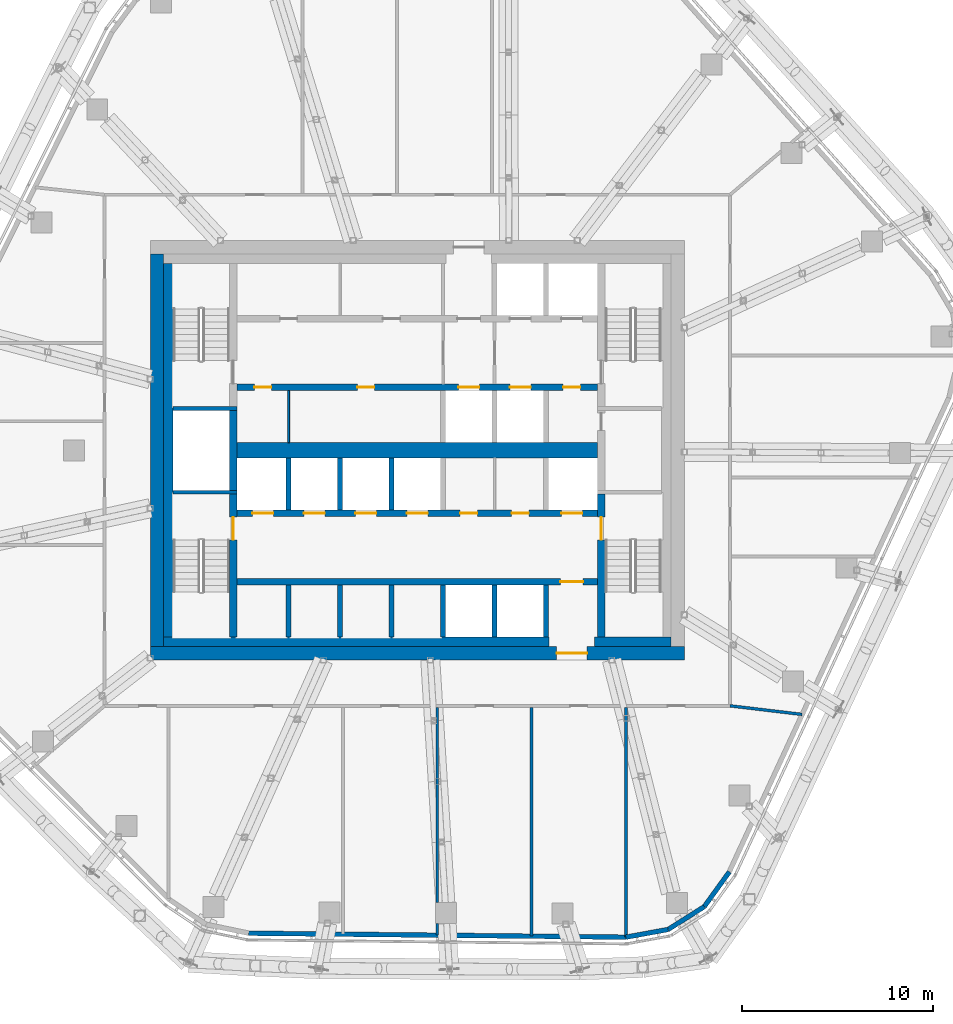
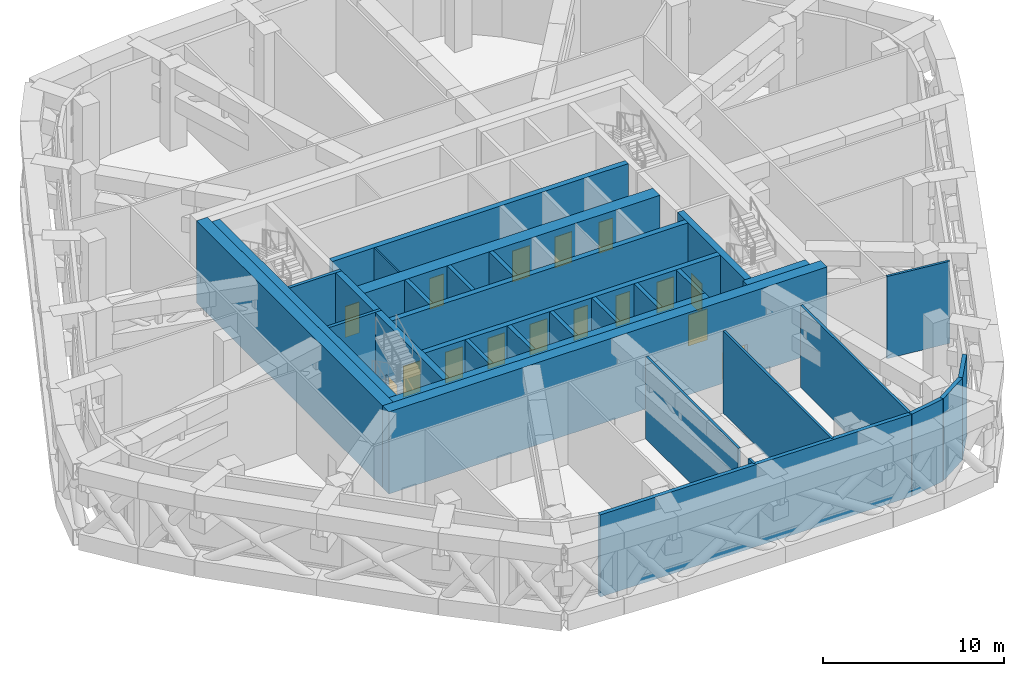
# One storey, part 16 of 31: 33 walls, 16 doors, 16 openings.
"""IFC4 building model written with IfcOpenShell, lengths in metres."""

from ifc_helpers import new_model, si_unit, direction, frame, frame_2d, origin, place, context, subcontext, project, spatial, rectangle, extrude, material, layer, layer_set, type_object, element, fill, save


model = new_model("IFC4")

# Units and contexts
model_context = context("Model", 3, precision=1e-05, world=origin(), true_north=direction((0.0, 1.0)))
body_context = subcontext(model_context, "Body", "Model", "MODEL_VIEW")
ifc_project = project(units=[si_unit("LENGTHUNIT", "METRE"), si_unit("AREAUNIT", "SQUARE_METRE"), si_unit("VOLUMEUNIT", "CUBIC_METRE"), si_unit("PLANEANGLEUNIT", "RADIAN"), si_unit("MASSUNIT", "GRAM", prefix="KILO")], contexts=[model_context])

# Site, building, storey
site_placement = place(None, origin())
site = spatial("IfcSite", under=ifc_project, at=site_placement, CompositionType="ELEMENT")
building_placement = place(site_placement, origin())
building = spatial("IfcBuilding", under=site, at=building_placement, Name="Dongbaek Canopy Tower", CompositionType="ELEMENT")
storey_placement = place(building_placement, frame((0.0, 0.0, 283.199951171875)))
storey = spatial("IfcBuildingStorey", under=building, at=storey_placement, Name="L60", CompositionType="ELEMENT", Elevation=283.199951171875)

# Wall
ifc_material_1 = material(Name="Concrete C60/75", Category="concrete")
ifc_layer_1 = layer(ifc_material_1, 0.800048828125)
ifc_layer_set_1 = layer_set([ifc_layer_1], Name="Core central wall 800 Concrete C60/75")
wall_type_1 = type_object("IfcWallType", Name="Core central wall 800 Concrete C60/75", PredefinedType="SHEAR", material=ifc_layer_set_1)
wall_1_placement = place(storey_placement, frame((-9.449951171875, 0.0, 0.0), z_axis=(0.0, 0.0, 1.0), x_axis=(1.0, 0.0, 0.0)))
element("IfcWall", 1, at=wall_1_placement, inside=storey, type_object=wall_type_1, Name="Core wall", PredefinedType="SHEAR", context=body_context, shape_type="SweptSolid", body=[
    extrude(rectangle(XDim=18.89990234375, YDim=0.800048828125, at=frame_2d((9.449951171875, 0.0))), origin(), (0.0, 0.0, 1.0), 5.550048828125),
])

# Wall, openings, doors
ifc_material_2 = material(Name="Concrete C60/75", Category="concrete")
ifc_layer_2 = layer(ifc_material_2, 0.35009765625)
ifc_layer_set_2 = layer_set([ifc_layer_2], Name="Core lobby wall 350 Concrete C60/75")
wall_type_2 = type_object("IfcWallType", Name="Core lobby wall 350 Concrete C60/75", PredefinedType="SHEAR", material=ifc_layer_set_2)
wall_2_placement = place(storey_placement, frame((9.449951171875, 3.300048828125, 0.0), z_axis=(0.0, 0.0, 1.0), x_axis=(-1.0, 0.0, 0.0)))
wall_2 = element("IfcWall", 2, at=wall_2_placement, inside=storey, type_object=wall_type_2, Name="Core wall", PredefinedType="SHEAR", context=body_context, shape_type="SweptSolid", body=[
    extrude(rectangle(XDim=18.89990234375, YDim=0.35009765625, at=frame_2d((9.449951171875, 0.0))), origin(), (0.0, 0.0, 1.0), 5.550048828125),
])
opening_1_placement = place(wall_2_placement, frame((6.199951171875, 0.0, 0.0)))
opening_1 = element("IfcOpeningElement", 3, at=opening_1_placement, cuts=wall_2, Name="Opening L60-D024", PredefinedType="OPENING", context=body_context, shape_type="SweptSolid", body=[
    extrude(rectangle(XDim=1.10009765625, YDim=2.10009765625, at=frame_2d((0.550048828125, 1.050048828125))), frame((0.0, 0.18505859375, 0.0), z_axis=(0.0, -1.0, 0.0), x_axis=(1.0, 0.0, 0.0)), (0.0, 0.0, 1.0), 0.3701171875),
])
opening_2_placement = place(wall_2_placement, frame((3.5, 0.0, 0.0)))
opening_2 = element("IfcOpeningElement", 4, at=opening_2_placement, cuts=wall_2, Name="Opening L60-D025", PredefinedType="OPENING", context=body_context, shape_type="SweptSolid", body=[
    extrude(rectangle(XDim=1.10009765625, YDim=2.10009765625, at=frame_2d((0.550048828125, 1.050048828125))), frame((0.0, 0.18505859375, 0.0), z_axis=(0.0, -1.0, 0.0), x_axis=(1.0, 0.0, 0.0)), (0.0, 0.0, 1.0), 0.3701171875),
])
opening_3_placement = place(wall_2_placement, frame((0.89990234375, 0.0, 0.0)))
opening_3 = element("IfcOpeningElement", 5, at=opening_3_placement, cuts=wall_2, Name="Opening L60-D026", PredefinedType="OPENING", context=body_context, shape_type="SweptSolid", body=[
    extrude(rectangle(XDim=0.89990234375, YDim=2.10009765625, at=frame_2d((0.449951171875, 1.050048828125))), frame((0.0, 0.18505859375, 0.0), z_axis=(0.0, -1.0, 0.0), x_axis=(1.0, 0.0, 0.0)), (0.0, 0.0, 1.0), 0.3701171875),
])
opening_4_placement = place(wall_2_placement, frame((17.10009765625, 0.0, 0.0)))
opening_4 = element("IfcOpeningElement", 6, at=opening_4_placement, cuts=wall_2, Name="Opening L60-D036", PredefinedType="OPENING", context=body_context, shape_type="SweptSolid", body=[
    extrude(rectangle(XDim=0.89990234375, YDim=2.10009765625, at=frame_2d((0.449951171875, 1.050048828125))), frame((0.0, 0.18505859375, 0.0), z_axis=(0.0, -1.0, 0.0), x_axis=(1.0, 0.0, 0.0)), (0.0, 0.0, 1.0), 0.3701171875),
])
opening_5_placement = place(wall_2_placement, frame((11.699951171875, 0.0, 0.0)))
opening_5 = element("IfcOpeningElement", 7, at=opening_5_placement, cuts=wall_2, Name="Opening L60-D037", PredefinedType="OPENING", context=body_context, shape_type="SweptSolid", body=[
    extrude(rectangle(XDim=0.89990234375, YDim=2.10009765625, at=frame_2d((0.449951171875, 1.050048828125))), frame((0.0, 0.18505859375, 0.0), z_axis=(0.0, -1.0, 0.0), x_axis=(1.0, 0.0, 0.0)), (0.0, 0.0, 1.0), 0.3701171875),
])
ifc_material_3 = material(Name="Steel", Category="steel")
door_type_1 = type_object("IfcDoorType", Name="Core room door 900 x 2100", OperationType="SINGLE_SWING_LEFT", PredefinedType="DOOR", material=ifc_material_3)
door_1_placement = place(opening_3_placement, origin())
door_1 = element("IfcDoor", 8, at=door_1_placement, inside=storey, type_object=door_type_1, Name="Door L60-D026", OperationType="SINGLE_SWING_LEFT", OverallHeight=2.10009765625, OverallWidth=0.89990234375, PredefinedType="DOOR", context=body_context, shape_type="SweptSolid", body=[
    extrude(rectangle(XDim=0.89990234375, YDim=2.10009765625, at=frame_2d((0.449951171875, 1.050048828125))), frame((0.0, 0.02490234375, 0.0), z_axis=(0.0, -1.0, 0.0), x_axis=(1.0, 0.0, 0.0)), (0.0, 0.0, 1.0), 0.050048828125),
])
fill(opening_3, door_1)
door_2_placement = place(opening_4_placement, origin())
door_2 = element("IfcDoor", 9, at=door_2_placement, inside=storey, type_object=door_type_1, Name="Door L60-D036", OperationType="SINGLE_SWING_RIGHT", OverallHeight=2.10009765625, OverallWidth=0.89990234375, PredefinedType="DOOR", context=body_context, shape_type="SweptSolid", body=[
    extrude(rectangle(XDim=0.89990234375, YDim=2.10009765625, at=frame_2d((0.449951171875, 1.050048828125))), frame((0.0, 0.02490234375, 0.0), z_axis=(0.0, -1.0, 0.0), x_axis=(1.0, 0.0, 0.0)), (0.0, 0.0, 1.0), 0.050048828125),
])
fill(opening_4, door_2)
door_3_placement = place(opening_5_placement, origin())
door_3 = element("IfcDoor", 10, at=door_3_placement, inside=storey, type_object=door_type_1, Name="Door L60-D037", OperationType="SINGLE_SWING_LEFT", OverallHeight=2.10009765625, OverallWidth=0.89990234375, PredefinedType="DOOR", context=body_context, shape_type="SweptSolid", body=[
    extrude(rectangle(XDim=0.89990234375, YDim=2.10009765625, at=frame_2d((0.449951171875, 1.050048828125))), frame((0.0, 0.02490234375, 0.0), z_axis=(0.0, -1.0, 0.0), x_axis=(1.0, 0.0, 0.0)), (0.0, 0.0, 1.0), 0.050048828125),
])
fill(opening_5, door_3)
ifc_material_4 = material(Name="Stainless steel", Category="steel")
door_type_2 = type_object("IfcDoorType", Name="Lift landing door 1100 x 2100", OperationType="DOUBLE_DOOR_SLIDING", PredefinedType="DOOR", material=ifc_material_4)
door_4_placement = place(opening_1_placement, origin())
door_4 = element("IfcDoor", 11, at=door_4_placement, inside=storey, type_object=door_type_2, Name="Landing door SV1", OperationType="DOUBLE_DOOR_SLIDING", OverallHeight=2.10009765625, OverallWidth=1.10009765625, PredefinedType="DOOR", context=body_context, shape_type="SweptSolid", body=[
    extrude(rectangle(XDim=1.10009765625, YDim=2.10009765625, at=frame_2d((0.550048828125, 1.050048828125))), frame((0.0, 0.02490234375, 0.0), z_axis=(0.0, -1.0, 0.0), x_axis=(1.0, 0.0, 0.0)), (0.0, 0.0, 1.0), 0.050048828125),
])
fill(opening_1, door_4)
door_5_placement = place(opening_2_placement, origin())
door_5 = element("IfcDoor", 12, at=door_5_placement, inside=storey, type_object=door_type_2, Name="Landing door FF3", OperationType="DOUBLE_DOOR_SLIDING", OverallHeight=2.10009765625, OverallWidth=1.10009765625, PredefinedType="DOOR", context=body_context, shape_type="SweptSolid", body=[
    extrude(rectangle(XDim=1.10009765625, YDim=2.10009765625, at=frame_2d((0.550048828125, 1.050048828125))), frame((0.0, 0.02490234375, 0.0), z_axis=(0.0, -1.0, 0.0), x_axis=(1.0, 0.0, 0.0)), (0.0, 0.0, 1.0), 0.050048828125),
])
fill(opening_2, door_5)

wall_3_placement = place(storey_placement, frame((-9.449951171875, -3.300048828125, 0.0), z_axis=(0.0, 0.0, 1.0), x_axis=(1.0, 0.0, 0.0)))
wall_3 = element("IfcWall", 13, at=wall_3_placement, inside=storey, type_object=wall_type_2, Name="Core wall", PredefinedType="SHEAR", context=body_context, shape_type="SweptSolid", body=[
    extrude(rectangle(XDim=18.89990234375, YDim=0.35009765625, at=frame_2d((9.449951171875, 0.0))), origin(), (0.0, 0.0, 1.0), 5.550048828125),
])
opening_6_placement = place(wall_3_placement, frame((0.800048828125, 0.0, 0.0)))
opening_6 = element("IfcOpeningElement", 14, at=opening_6_placement, cuts=wall_3, Name="Opening L60-D027", PredefinedType="OPENING", context=body_context, shape_type="SweptSolid", body=[
    extrude(rectangle(XDim=1.10009765625, YDim=2.10009765625, at=frame_2d((0.550048828125, 1.050048828125))), frame((0.0, 0.18505859375, 0.0), z_axis=(0.0, -1.0, 0.0), x_axis=(1.0, 0.0, 0.0)), (0.0, 0.0, 1.0), 0.3701171875),
])
opening_7_placement = place(wall_3_placement, frame((3.5, 0.0, 0.0)))
opening_7 = element("IfcOpeningElement", 15, at=opening_7_placement, cuts=wall_3, Name="Opening L60-D028", PredefinedType="OPENING", context=body_context, shape_type="SweptSolid", body=[
    extrude(rectangle(XDim=1.10009765625, YDim=2.10009765625, at=frame_2d((0.550048828125, 1.050048828125))), frame((0.0, 0.18505859375, 0.0), z_axis=(0.0, -1.0, 0.0), x_axis=(1.0, 0.0, 0.0)), (0.0, 0.0, 1.0), 0.3701171875),
])
opening_8_placement = place(wall_3_placement, frame((6.199951171875, 0.0, 0.0)))
opening_8 = element("IfcOpeningElement", 16, at=opening_8_placement, cuts=wall_3, Name="Opening L60-D029", PredefinedType="OPENING", context=body_context, shape_type="SweptSolid", body=[
    extrude(rectangle(XDim=1.10009765625, YDim=2.10009765625, at=frame_2d((0.550048828125, 1.050048828125))), frame((0.0, 0.18505859375, 0.0), z_axis=(0.0, -1.0, 0.0), x_axis=(1.0, 0.0, 0.0)), (0.0, 0.0, 1.0), 0.3701171875),
])
opening_9_placement = place(wall_3_placement, frame((8.89990234375, 0.0, 0.0)))
opening_9 = element("IfcOpeningElement", 17, at=opening_9_placement, cuts=wall_3, Name="Opening L60-D030", PredefinedType="OPENING", context=body_context, shape_type="SweptSolid", body=[
    extrude(rectangle(XDim=1.10009765625, YDim=2.10009765625, at=frame_2d((0.550048828125, 1.050048828125))), frame((0.0, 0.18505859375, 0.0), z_axis=(0.0, -1.0, 0.0), x_axis=(1.0, 0.0, 0.0)), (0.0, 0.0, 1.0), 0.3701171875),
])
opening_10_placement = place(wall_3_placement, frame((17.0, 0.0, 0.0)))
opening_10 = element("IfcOpeningElement", 18, at=opening_10_placement, cuts=wall_3, Name="Opening L60-D031", PredefinedType="OPENING", context=body_context, shape_type="SweptSolid", body=[
    extrude(rectangle(XDim=1.10009765625, YDim=2.10009765625, at=frame_2d((0.550048828125, 1.050048828125))), frame((0.0, 0.18505859375, 0.0), z_axis=(0.0, -1.0, 0.0), x_axis=(1.0, 0.0, 0.0)), (0.0, 0.0, 1.0), 0.3701171875),
])
opening_11_placement = place(wall_3_placement, frame((11.699951171875, 0.0, 0.0)))
opening_11 = element("IfcOpeningElement", 19, at=opening_11_placement, cuts=wall_3, Name="Opening L60-D038", PredefinedType="OPENING", context=body_context, shape_type="SweptSolid", body=[
    extrude(rectangle(XDim=0.89990234375, YDim=2.10009765625, at=frame_2d((0.449951171875, 1.050048828125))), frame((0.0, 0.18505859375, 0.0), z_axis=(0.0, -1.0, 0.0), x_axis=(1.0, 0.0, 0.0)), (0.0, 0.0, 1.0), 0.3701171875),
])
opening_12_placement = place(wall_3_placement, frame((14.39990234375, 0.0, 0.0)))
opening_12 = element("IfcOpeningElement", 20, at=opening_12_placement, cuts=wall_3, Name="Opening L60-D039", PredefinedType="OPENING", context=body_context, shape_type="SweptSolid", body=[
    extrude(rectangle(XDim=0.89990234375, YDim=2.10009765625, at=frame_2d((0.449951171875, 1.050048828125))), frame((0.0, 0.18505859375, 0.0), z_axis=(0.0, -1.0, 0.0), x_axis=(1.0, 0.0, 0.0)), (0.0, 0.0, 1.0), 0.3701171875),
])
door_6_placement = place(opening_11_placement, origin())
door_6 = element("IfcDoor", 21, at=door_6_placement, inside=storey, type_object=door_type_1, Name="Door L60-D038", OperationType="SINGLE_SWING_RIGHT", OverallHeight=2.10009765625, OverallWidth=0.89990234375, PredefinedType="DOOR", context=body_context, shape_type="SweptSolid", body=[
    extrude(rectangle(XDim=0.89990234375, YDim=2.10009765625, at=frame_2d((0.449951171875, 1.050048828125))), frame((0.0, 0.02490234375, 0.0), z_axis=(0.0, -1.0, 0.0), x_axis=(1.0, 0.0, 0.0)), (0.0, 0.0, 1.0), 0.050048828125),
])
fill(opening_11, door_6)
door_7_placement = place(opening_12_placement, origin())
door_7 = element("IfcDoor", 22, at=door_7_placement, inside=storey, type_object=door_type_1, Name="Door L60-D039", OperationType="SINGLE_SWING_LEFT", OverallHeight=2.10009765625, OverallWidth=0.89990234375, PredefinedType="DOOR", context=body_context, shape_type="SweptSolid", body=[
    extrude(rectangle(XDim=0.89990234375, YDim=2.10009765625, at=frame_2d((0.449951171875, 1.050048828125))), frame((0.0, 0.02490234375, 0.0), z_axis=(0.0, -1.0, 0.0), x_axis=(1.0, 0.0, 0.0)), (0.0, 0.0, 1.0), 0.050048828125),
])
fill(opening_12, door_7)
door_8_placement = place(opening_6_placement, origin())
door_8 = element("IfcDoor", 23, at=door_8_placement, inside=storey, type_object=door_type_2, Name="Landing door MR1", OperationType="DOUBLE_DOOR_SLIDING", OverallHeight=2.10009765625, OverallWidth=1.10009765625, PredefinedType="DOOR", context=body_context, shape_type="SweptSolid", body=[
    extrude(rectangle(XDim=1.10009765625, YDim=2.10009765625, at=frame_2d((0.550048828125, 1.050048828125))), frame((0.0, 0.02490234375, 0.0), z_axis=(0.0, -1.0, 0.0), x_axis=(1.0, 0.0, 0.0)), (0.0, 0.0, 1.0), 0.050048828125),
])
fill(opening_6, door_8)
door_9_placement = place(opening_7_placement, origin())
door_9 = element("IfcDoor", 24, at=door_9_placement, inside=storey, type_object=door_type_2, Name="Landing door MR2", OperationType="DOUBLE_DOOR_SLIDING", OverallHeight=2.10009765625, OverallWidth=1.10009765625, PredefinedType="DOOR", context=body_context, shape_type="SweptSolid", body=[
    extrude(rectangle(XDim=1.10009765625, YDim=2.10009765625, at=frame_2d((0.550048828125, 1.050048828125))), frame((0.0, 0.02490234375, 0.0), z_axis=(0.0, -1.0, 0.0), x_axis=(1.0, 0.0, 0.0)), (0.0, 0.0, 1.0), 0.050048828125),
])
fill(opening_7, door_9)
door_10_placement = place(opening_8_placement, origin())
door_10 = element("IfcDoor", 25, at=door_10_placement, inside=storey, type_object=door_type_2, Name="Landing door MR3", OperationType="DOUBLE_DOOR_SLIDING", OverallHeight=2.10009765625, OverallWidth=1.10009765625, PredefinedType="DOOR", context=body_context, shape_type="SweptSolid", body=[
    extrude(rectangle(XDim=1.10009765625, YDim=2.10009765625, at=frame_2d((0.550048828125, 1.050048828125))), frame((0.0, 0.02490234375, 0.0), z_axis=(0.0, -1.0, 0.0), x_axis=(1.0, 0.0, 0.0)), (0.0, 0.0, 1.0), 0.050048828125),
])
fill(opening_8, door_10)
door_11_placement = place(opening_9_placement, origin())
door_11 = element("IfcDoor", 26, at=door_11_placement, inside=storey, type_object=door_type_2, Name="Landing door MR4", OperationType="DOUBLE_DOOR_SLIDING", OverallHeight=2.10009765625, OverallWidth=1.10009765625, PredefinedType="DOOR", context=body_context, shape_type="SweptSolid", body=[
    extrude(rectangle(XDim=1.10009765625, YDim=2.10009765625, at=frame_2d((0.550048828125, 1.050048828125))), frame((0.0, 0.02490234375, 0.0), z_axis=(0.0, -1.0, 0.0), x_axis=(1.0, 0.0, 0.0)), (0.0, 0.0, 1.0), 0.050048828125),
])
fill(opening_9, door_11)
door_12_placement = place(opening_10_placement, origin())
door_12 = element("IfcDoor", 27, at=door_12_placement, inside=storey, type_object=door_type_2, Name="Landing door SV2", OperationType="DOUBLE_DOOR_SLIDING", OverallHeight=2.10009765625, OverallWidth=1.10009765625, PredefinedType="DOOR", context=body_context, shape_type="SweptSolid", body=[
    extrude(rectangle(XDim=1.10009765625, YDim=2.10009765625, at=frame_2d((0.550048828125, 1.050048828125))), frame((0.0, 0.02490234375, 0.0), z_axis=(0.0, -1.0, 0.0), x_axis=(1.0, 0.0, 0.0)), (0.0, 0.0, 1.0), 0.050048828125),
])
fill(opening_10, door_12)

# Wall, opening, door
wall_4_placement = place(storey_placement, frame((9.449951171875, -6.89990234375, 0.0), z_axis=(0.0, 0.0, 1.0), x_axis=(-1.0, 0.0, 0.0)))
wall_4 = element("IfcWall", 28, at=wall_4_placement, inside=storey, type_object=wall_type_2, Name="Core wall", PredefinedType="SHEAR", context=body_context, shape_type="SweptSolid", body=[
    extrude(rectangle(XDim=18.89990234375, YDim=0.35009765625, at=frame_2d((9.449951171875, 0.0))), origin(), (0.0, 0.0, 1.0), 5.550048828125),
])
opening_13_placement = place(wall_4_placement, frame((0.75, 0.0, 0.0)))
opening_13 = element("IfcOpeningElement", 29, at=opening_13_placement, cuts=wall_4, Name="Opening L60-D033", PredefinedType="OPENING", context=body_context, shape_type="SweptSolid", body=[
    extrude(rectangle(XDim=1.199951171875, YDim=2.10009765625, at=frame_2d((0.60009765625, 1.050048828125))), frame((0.0, 0.18505859375, 0.0), z_axis=(0.0, -1.0, 0.0), x_axis=(1.0, 0.0, 0.0)), (0.0, 0.0, 1.0), 0.3701171875),
])
ifc_material_5 = material(Name="Steel", Category="steel")
door_type_3 = type_object("IfcDoorType", Name="Fire lobby door 1200 x 2100", OperationType="SINGLE_SWING_LEFT", PredefinedType="DOOR", material=ifc_material_5)
door_13_placement = place(opening_13_placement, origin())
door_13 = element("IfcDoor", 30, at=door_13_placement, inside=storey, type_object=door_type_3, Name="Door L60-D033", OperationType="SINGLE_SWING_LEFT", OverallHeight=2.10009765625, OverallWidth=1.199951171875, PredefinedType="DOOR", context=body_context, shape_type="SweptSolid", body=[
    extrude(rectangle(XDim=1.199951171875, YDim=2.10009765625, at=frame_2d((0.60009765625, 1.050048828125))), frame((0.0, 0.02490234375, 0.0), z_axis=(0.0, -1.0, 0.0), x_axis=(1.0, 0.0, 0.0)), (0.0, 0.0, 1.0), 0.050048828125),
])
fill(opening_13, door_13)

ifc_material_6 = material(Name="Concrete C70/85", Category="concrete")
ifc_layer_3 = layer(ifc_material_6, 0.699951171875)
ifc_layer_set_3 = layer_set([ifc_layer_3], Name="Core outer wall 700 Concrete C70/85")
wall_type_3 = type_object("IfcWallType", Name="Core outer wall 700 Concrete C70/85", PredefinedType="SHEAR", material=ifc_layer_set_3)
wall_5_placement = place(storey_placement, frame((14.0, -10.64990234375, 0.0), z_axis=(0.0, 0.0, 1.0), x_axis=(-1.0, 0.0, 0.0)))
wall_5 = element("IfcWall", 31, at=wall_5_placement, inside=storey, type_object=wall_type_3, Name="Core wall", PredefinedType="SHEAR", context=body_context, shape_type="SweptSolid", body=[
    extrude(rectangle(XDim=28.0, YDim=0.699951171875, at=frame_2d((14.0, 0.0))), origin(), (0.0, 0.0, 1.0), 5.550048828125),
])
opening_14_placement = place(wall_5_placement, frame((5.10009765625, 0.0, 0.0)))
opening_14 = element("IfcOpeningElement", 32, at=opening_14_placement, cuts=wall_5, Name="Opening L60-D032", PredefinedType="OPENING", context=body_context, shape_type="SweptSolid", body=[
    extrude(rectangle(XDim=1.60009765625, YDim=2.10009765625, at=frame_2d((0.800048828125, 1.050048828125))), frame((0.0, 0.35986328125, 0.0), z_axis=(0.0, -1.0, 0.0), x_axis=(1.0, 0.0, 0.0)), (0.0, 0.0, 1.0), 0.719970703125),
])
ifc_material_7 = material(Name="Steel", Category="steel")
door_type_4 = type_object("IfcDoorType", Name="Core exit door 1600 x 2100", OperationType="DOUBLE_DOOR_SINGLE_SWING", PredefinedType="DOOR", material=ifc_material_7)
door_14_placement = place(opening_14_placement, origin())
door_14 = element("IfcDoor", 33, at=door_14_placement, inside=storey, type_object=door_type_4, Name="Core exit door", OperationType="DOUBLE_DOOR_SINGLE_SWING", OverallHeight=2.10009765625, OverallWidth=1.60009765625, PredefinedType="DOOR", context=body_context, shape_type="SweptSolid", body=[
    extrude(rectangle(XDim=1.60009765625, YDim=2.10009765625, at=frame_2d((0.800048828125, 1.050048828125))), frame((0.0, 0.02490234375, 0.0), z_axis=(0.0, -1.0, 0.0), x_axis=(1.0, 0.0, 0.0)), (0.0, 0.0, 1.0), 0.050048828125),
])
fill(opening_14, door_14)

# Walls
wall_6_placement = place(storey_placement, frame((-13.64990234375, -10.300048828125, 0.0), z_axis=(0.0, 0.0, 1.0), x_axis=(0.0, 1.0, 0.0)))
element("IfcWall", 34, at=wall_6_placement, inside=storey, type_object=wall_type_3, Name="Core wall", PredefinedType="SHEAR", context=body_context, shape_type="SweptSolid", body=[
    extrude(rectangle(XDim=20.60009765625, YDim=0.699951171875, at=frame_2d((10.300048828125, 0.0))), origin(), (0.0, 0.0, 1.0), 5.550048828125),
])
ifc_material_8 = material(Name="Concrete C60/75", Category="concrete")
ifc_layer_4 = layer(ifc_material_8, 0.5)
ifc_layer_set_4 = layer_set([ifc_layer_4], Name="Core wall lining 500 Concrete C60/75")
wall_type_4 = type_object("IfcWallType", Name="Core wall lining 500 Concrete C60/75", PredefinedType="SHEAR", material=ifc_layer_set_4)
wall_7_placement = place(storey_placement, frame((13.300048828125, -10.050048828125, 0.0), z_axis=(0.0, 0.0, 1.0), x_axis=(-1.0, 0.0, 0.0)))
element("IfcWall", 35, at=wall_7_placement, inside=storey, type_object=wall_type_4, Name="Core wall lining", PredefinedType="SHEAR", context=body_context, shape_type="SweptSolid", body=[
    extrude(rectangle(XDim=4.0, YDim=0.5, at=frame_2d((2.0, 0.0))), origin(), (0.0, 0.0, 1.0), 5.550048828125),
])
wall_8_placement = place(storey_placement, frame((6.89990234375, -10.050048828125, 0.0), z_axis=(0.0, 0.0, 1.0), x_axis=(-1.0, 0.0, 0.0)))
element("IfcWall", 36, at=wall_8_placement, inside=storey, type_object=wall_type_4, Name="Core wall lining", PredefinedType="SHEAR", context=body_context, shape_type="SweptSolid", body=[
    extrude(rectangle(XDim=20.199951171875, YDim=0.5, at=frame_2d((10.10009765625, 0.0))), origin(), (0.0, 0.0, 1.0), 5.550048828125),
])
wall_9_placement = place(storey_placement, frame((-13.050048828125, -9.800048828125, 0.0), z_axis=(0.0, 0.0, 1.0), x_axis=(0.0, 1.0, 0.0)))
element("IfcWall", 37, at=wall_9_placement, inside=storey, type_object=wall_type_4, Name="Core wall lining", PredefinedType="SHEAR", context=body_context, shape_type="SweptSolid", body=[
    extrude(rectangle(XDim=19.60009765625, YDim=0.5, at=frame_2d((9.800048828125, 0.0))), origin(), (0.0, 0.0, 1.0), 5.550048828125),
])
ifc_material_9 = material(Name="Gypsum board partition, steel stud, 2 x 15 mm fire board", Category="steel")
ifc_layer_5 = layer(ifc_material_9, 0.14990234375)
ifc_layer_set_5 = layer_set([ifc_layer_5], Name="Fire-rated partition 150 gypsum board")
wall_type_5 = type_object("IfcWallType", Name="Fire-rated partition 150 gypsum board", PredefinedType="PARTITIONING", material=ifc_layer_set_5)
wall_10_placement = place(storey_placement, frame((10.946044921875, -25.51171875, 0.0), z_axis=(0.0, 0.0, 1.0), x_axis=(0.0, 1.0, 0.0)))
element("IfcWall", 38, at=wall_10_placement, inside=storey, type_object=wall_type_5, Name="Corridor partition", PredefinedType="PARTITIONING", context=body_context, shape_type="SweptSolid", body=[
    extrude(rectangle(XDim=12.03662109375, YDim=0.14990234375, at=frame_2d((6.018310546875, 0.0))), origin(), (0.0, 0.0, 1.0), 5.550048828125),
])
wall_11_placement = place(storey_placement, frame((5.99609375, -25.462158203125, 0.0), z_axis=(0.0, 0.0, 1.0), x_axis=(0.0, 1.0, 0.0)))
element("IfcWall", 39, at=wall_11_placement, inside=storey, type_object=wall_type_5, Name="Corridor partition", PredefinedType="PARTITIONING", context=body_context, shape_type="SweptSolid", body=[
    extrude(rectangle(XDim=11.987060546875, YDim=0.14990234375, at=frame_2d((5.99365234375, 0.0))), origin(), (0.0, 0.0, 1.0), 5.550048828125),
])
wall_12_placement = place(storey_placement, frame((1.0458984375, -25.410400390625, 0.0), z_axis=(0.0, 0.0, 1.0), x_axis=(0.0, 1.0, 0.0)))
element("IfcWall", 40, at=wall_12_placement, inside=storey, type_object=wall_type_5, Name="Corridor partition", PredefinedType="PARTITIONING", context=body_context, shape_type="SweptSolid", body=[
    extrude(rectangle(XDim=0.58837890625, YDim=0.14990234375, at=frame_2d((0.294189453125, 0.0))), origin(), (0.0, 0.0, 1.0), 5.550048828125),
])
wall_13_placement = place(storey_placement, frame((1.0458984375, -23.721923828125, 0.0), z_axis=(0.0, 0.0, 1.0), x_axis=(0.0, 1.0, 0.0)))
element("IfcWall", 41, at=wall_13_placement, inside=storey, type_object=wall_type_5, Name="Corridor partition", PredefinedType="PARTITIONING", context=body_context, shape_type="SweptSolid", body=[
    extrude(rectangle(XDim=10.246826171875, YDim=0.14990234375, at=frame_2d((5.12353515625, 0.0))), origin(), (0.0, 0.0, 1.0), 5.550048828125),
])
wall_14_placement = place(storey_placement, frame((16.39990234375, -13.400146484375, 0.0), z_axis=(0.0, 0.0, 1.0), x_axis=(0.992945775756, -0.118569331652, 0.0)))
element("IfcWall", 42, at=wall_14_placement, inside=storey, type_object=wall_type_5, Name="Corridor partition", PredefinedType="PARTITIONING", context=body_context, shape_type="SweptSolid", body=[
    extrude(rectangle(XDim=3.794921875, YDim=0.14990234375, at=frame_2d((1.8974609375, 0.0))), origin(), (0.0, 0.0, 1.0), 5.550048828125),
])
ifc_material_10 = material(Name="Concrete C60/75", Category="concrete")
ifc_layer_6 = layer(ifc_material_10, 0.25)
ifc_layer_set_6 = layer_set([ifc_layer_6], Name="Lift pit wall 250 Concrete C60/75")
wall_type_6 = type_object("IfcWallType", Name="Lift pit wall 250 Concrete C60/75", PredefinedType="SHEAR", material=ifc_layer_set_6)
for number, where, z_axis, x_axis, name in (
    (43, (1.35009765625, -9.800048828125, 0.0), (0.0, 0.0, 1.0), (0.0, 1.0, 0.0), "Lift pit wall"),
    (44, (-1.35009765625, -9.800048828125, 0.0), (0.0, 0.0, 1.0), (0.0, 1.0, 0.0), "Lift pit wall"),
    (45, (-4.050048828125, -9.800048828125, 0.0), (0.0, 0.0, 1.0), (0.0, 1.0, 0.0), "Lift pit wall"),
    (46, (-6.75, -9.800048828125, 0.0), (0.0, 0.0, 1.0), (0.0, 1.0, 0.0), "Lift pit wall"),
):
    element("IfcWall", number, at=place(storey_placement, frame(where, z_axis=z_axis, x_axis=x_axis)), inside=storey, type_object=wall_type_6, Name=name, PredefinedType="SHEAR", context=body_context, shape_type="SweptSolid", body=[
        extrude(rectangle(XDim=2.72509765625, YDim=0.25, at=frame_2d((1.362548828125, 0.0))), origin(), (0.0, 0.0, 1.0), 5.550048828125),
    ])
ifc_material_11 = material(Name="Concrete C40/50", Category="concrete")
ifc_layer_7 = layer(ifc_material_11, 0.25)
ifc_layer_set_7 = layer_set([ifc_layer_7], Name="Lift shaft wall 250 Concrete C40/50")
wall_type_7 = type_object("IfcWallType", Name="Lift shaft wall 250 Concrete C40/50", PredefinedType="SOLIDWALL", material=ifc_layer_set_7)
for number, where, z_axis, x_axis, name in (
    (47, (6.75, -9.800048828125, 0.0), (0.0, 0.0, 1.0), (0.0, 1.0, 0.0), "Lift shaft wall"),
    (48, (4.050048828125, -9.800048828125, 0.0), (0.0, 0.0, 1.0), (0.0, 1.0, 0.0), "Lift shaft wall"),
    (49, (-1.35009765625, -3.125, 0.0), (0.0, 0.0, 1.0), (0.0, 1.0, 0.0), "Lift shaft wall"),
    (50, (-4.050048828125, -3.125, 0.0), (0.0, 0.0, 1.0), (0.0, 1.0, 0.0), "Lift shaft wall"),
    (51, (-6.75, -3.125, 0.0), (0.0, 0.0, 1.0), (0.0, 1.0, 0.0), "Lift shaft wall"),
):
    element("IfcWall", number, at=place(storey_placement, frame(where, z_axis=z_axis, x_axis=x_axis)), inside=storey, type_object=wall_type_7, Name=name, PredefinedType="SOLIDWALL", context=body_context, shape_type="SweptSolid", body=[
        extrude(rectangle(XDim=2.72509765625, YDim=0.25, at=frame_2d((1.362548828125, 0.0))), origin(), (0.0, 0.0, 1.0), 5.550048828125),
    ])
ifc_material_12 = material(Name="Gypsum board partition, steel stud, 2 x 12.5 mm board", Category="steel")
ifc_layer_8 = layer(ifc_material_12, 0.10009765625)
ifc_layer_set_8 = layer_set([ifc_layer_8], Name="Partition 100 gypsum board")
wall_type_8 = type_object("IfcWallType", Name="Partition 100 gypsum board", PredefinedType="PARTITIONING", material=ifc_layer_set_8)
wall_15_placement = place(storey_placement, frame((-6.75, 0.39990234375, 0.0), z_axis=(0.0, 0.0, 1.0), x_axis=(0.0, 1.0, 0.0)))
element("IfcWall", 52, at=wall_15_placement, inside=storey, type_object=wall_type_8, Name="Core partition", PredefinedType="PARTITIONING", context=body_context, shape_type="SweptSolid", body=[
    extrude(rectangle(XDim=2.72509765625, YDim=0.10009765625, at=frame_2d((1.362548828125, 0.0))), origin(), (0.0, 0.0, 1.0), 5.550048828125),
])
ifc_material_13 = material(Name="Pale metal cladding on insulated wall")
ifc_layer_9 = layer(ifc_material_13, 0.25)
ifc_layer_set_9 = layer_set([ifc_layer_9], Name="Plant floor wall 250")
wall_type_9 = type_object("IfcWallType", Name="Plant floor wall 250", PredefinedType="SOLIDWALL", material=ifc_layer_set_9)
wall_16_placement = place(storey_placement, frame((-8.843505859375, -25.326904296875, 0.0), z_axis=(0.0, 0.0, 1.0), x_axis=(0.999945361935, -0.010453379595, 0.0)))
element("IfcWall", 53, at=wall_16_placement, inside=storey, type_object=wall_type_9, Name="Plant wall L60 F4 1", PredefinedType="SOLIDWALL", context=body_context, shape_type="SweptSolid", body=[
    extrude(rectangle(XDim=19.78173828125, YDim=0.25, at=frame_2d((9.890869140625, 0.0))), origin(), (0.0, 0.0, 1.0), 5.550048828125),
])
wall_17_placement = place(storey_placement, frame((10.937255859375, -25.53369140625, 0.0), z_axis=(0.0, 0.0, 1.0), x_axis=(0.983713424881, 0.179743978229, 0.0)))
element("IfcWall", 54, at=wall_17_placement, inside=storey, type_object=wall_type_9, Name="Plant wall L60 K5 1", PredefinedType="SOLIDWALL", context=body_context, shape_type="SweptSolid", body=[
    extrude(rectangle(XDim=2.251953125, YDim=0.25, at=frame_2d((1.1259765625, 0.0))), origin(), (0.0, 0.0, 1.0), 5.550048828125),
])
wall_18_placement = place(storey_placement, frame((13.152587890625, -25.12890625, 0.0), z_axis=(0.0, 0.0, 1.0), x_axis=(0.845450092228, 0.534054436881, 0.0)))
element("IfcWall", 55, at=wall_18_placement, inside=storey, type_object=wall_type_9, Name="Plant wall L60 K5 2", PredefinedType="SOLIDWALL", context=body_context, shape_type="SweptSolid", body=[
    extrude(rectangle(XDim=2.2421875, YDim=0.25, at=frame_2d((1.12109375, 0.0))), origin(), (0.0, 0.0, 1.0), 5.550048828125),
])
wall_19_placement = place(storey_placement, frame((15.04833984375, -23.931396484375, 0.0), z_axis=(0.0, 0.0, 1.0), x_axis=(0.585189696125, 0.810896429607, 0.0)))
element("IfcWall", 56, at=wall_19_placement, inside=storey, type_object=wall_type_9, Name="Plant wall L60 K5 3", PredefinedType="SOLIDWALL", context=body_context, shape_type="SweptSolid", body=[
    extrude(rectangle(XDim=2.251953125, YDim=0.25, at=frame_2d((1.1259765625, 0.0))), origin(), (0.0, 0.0, 1.0), 5.550048828125),
])
ifc_material_14 = material(Name="Concrete C60/75", Category="concrete")
ifc_layer_10 = layer(ifc_material_14, 0.199951171875)
ifc_layer_set_10 = layer_set([ifc_layer_10], Name="Riser wall 200 Concrete C60/75")
wall_type_10 = type_object("IfcWallType", Name="Riser wall 200 Concrete C60/75", PredefinedType="SHEAR", material=ifc_layer_set_10)
for number, where, z_axis, x_axis, name in (
    (57, (-9.449951171875, 2.199951171875, 0.0), (0.0, 0.0, 1.0), (-1.0, 0.0, 0.0), "Riser wall"),
    (58, (-9.449951171875, -2.199951171875, 0.0), (0.0, 0.0, 1.0), (-1.0, 0.0, 0.0), "Riser wall"),
):
    element("IfcWall", number, at=place(storey_placement, frame(where, z_axis=z_axis, x_axis=x_axis)), inside=storey, type_object=wall_type_10, Name=name, PredefinedType="SHEAR", context=body_context, shape_type="SweptSolid", body=[
        extrude(rectangle(XDim=3.35009765625, YDim=0.199951171875, at=frame_2d((1.675048828125, 0.0))), origin(), (0.0, 0.0, 1.0), 5.550048828125),
    ])

# Wall, opening, door
ifc_material_15 = material(Name="Concrete C60/75", Category="concrete")
ifc_layer_11 = layer(ifc_material_15, 0.39990234375)
ifc_layer_set_11 = layer_set([ifc_layer_11], Name="Stair wall 400 Concrete C60/75")
wall_type_11 = type_object("IfcWallType", Name="Stair wall 400 Concrete C60/75", PredefinedType="SHEAR", material=ifc_layer_set_11)
wall_20_placement = place(storey_placement, frame((9.64990234375, -2.300048828125, 0.0), z_axis=(0.0, 0.0, 1.0), x_axis=(0.0, -1.0, 0.0)))
wall_20 = element("IfcWall", 59, at=wall_20_placement, inside=storey, type_object=wall_type_11, Name="Stair wall", PredefinedType="SHEAR", context=body_context, shape_type="SweptSolid", body=[
    extrude(rectangle(XDim=7.5, YDim=0.39990234375, at=frame_2d((3.75, 0.0))), origin(), (0.0, 0.0, 1.0), 5.550048828125),
])
opening_15_placement = place(wall_20_placement, frame((1.199951171875, 0.0, 0.0)))
opening_15 = element("IfcOpeningElement", 60, at=opening_15_placement, cuts=wall_20, Name="Opening L60-D042", PredefinedType="OPENING", context=body_context, shape_type="SweptSolid", body=[
    extrude(rectangle(XDim=1.199951171875, YDim=2.10009765625, at=frame_2d((0.60009765625, 1.050048828125))), frame((0.0, 0.2099609375, 0.0), z_axis=(0.0, -1.0, 0.0), x_axis=(1.0, 0.0, 0.0)), (0.0, 0.0, 1.0), 0.419921875),
])
ifc_material_16 = material(Name="Steel", Category="steel")
door_type_5 = type_object("IfcDoorType", Name="Stair door 1200 x 2100", OperationType="SINGLE_SWING_LEFT", PredefinedType="DOOR", material=ifc_material_16)
door_15_placement = place(opening_15_placement, origin())
door_15 = element("IfcDoor", 61, at=door_15_placement, inside=storey, type_object=door_type_5, Name="Stair B door", OperationType="SINGLE_SWING_RIGHT", OverallHeight=2.10009765625, OverallWidth=1.199951171875, PredefinedType="DOOR", context=body_context, shape_type="SweptSolid", body=[
    extrude(rectangle(XDim=1.199951171875, YDim=2.10009765625, at=frame_2d((0.60009765625, 1.050048828125))), frame((0.0, 0.02490234375, 0.0), z_axis=(0.0, -1.0, 0.0), x_axis=(1.0, 0.0, 0.0)), (0.0, 0.0, 1.0), 0.050048828125),
])
fill(opening_15, door_15)

wall_21_placement = place(storey_placement, frame((-9.64990234375, -9.800048828125, 0.0), z_axis=(0.0, 0.0, 1.0), x_axis=(0.0, 1.0, 0.0)))
wall_21 = element("IfcWall", 62, at=wall_21_placement, inside=storey, type_object=wall_type_11, Name="Stair wall", PredefinedType="SHEAR", context=body_context, shape_type="SweptSolid", body=[
    extrude(rectangle(XDim=7.5, YDim=0.39990234375, at=frame_2d((3.75, 0.0))), origin(), (0.0, 0.0, 1.0), 5.550048828125),
])
opening_16_placement = place(wall_21_placement, frame((5.10009765625, 0.0, 0.0)))
opening_16 = element("IfcOpeningElement", 63, at=opening_16_placement, cuts=wall_21, Name="Opening L60-D043", PredefinedType="OPENING", context=body_context, shape_type="SweptSolid", body=[
    extrude(rectangle(XDim=1.199951171875, YDim=2.10009765625, at=frame_2d((0.60009765625, 1.050048828125))), frame((0.0, 0.2099609375, 0.0), z_axis=(0.0, -1.0, 0.0), x_axis=(1.0, 0.0, 0.0)), (0.0, 0.0, 1.0), 0.419921875),
])
door_16_placement = place(opening_16_placement, origin())
door_16 = element("IfcDoor", 64, at=door_16_placement, inside=storey, type_object=door_type_5, Name="Stair D door", OperationType="SINGLE_SWING_LEFT", OverallHeight=2.10009765625, OverallWidth=1.199951171875, PredefinedType="DOOR", context=body_context, shape_type="SweptSolid", body=[
    extrude(rectangle(XDim=1.199951171875, YDim=2.10009765625, at=frame_2d((0.60009765625, 1.050048828125))), frame((0.0, 0.02490234375, 0.0), z_axis=(0.0, -1.0, 0.0), x_axis=(1.0, 0.0, 0.0)), (0.0, 0.0, 1.0), 0.050048828125),
])
fill(opening_16, door_16)

# Wall
wall_22_placement = place(storey_placement, frame((-9.64990234375, -2.10009765625, 0.0), z_axis=(0.0, 0.0, 1.0), x_axis=(0.0, 1.0, 0.0)))
element("IfcWall", 65, at=wall_22_placement, inside=storey, type_object=wall_type_11, Name="Stair wall", PredefinedType="SHEAR", context=body_context, shape_type="SweptSolid", body=[
    extrude(rectangle(XDim=4.2001953125, YDim=0.39990234375, at=frame_2d((2.10009765625, 0.0))), origin(), (0.0, 0.0, 1.0), 5.550048828125),
])

save(model, "model.ifc")
